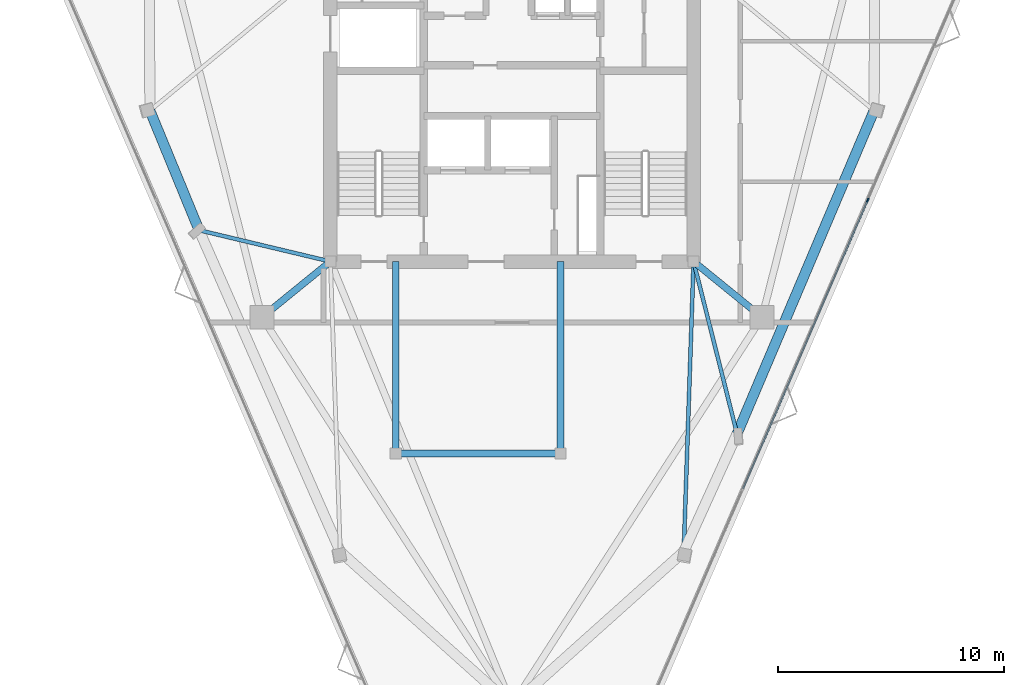
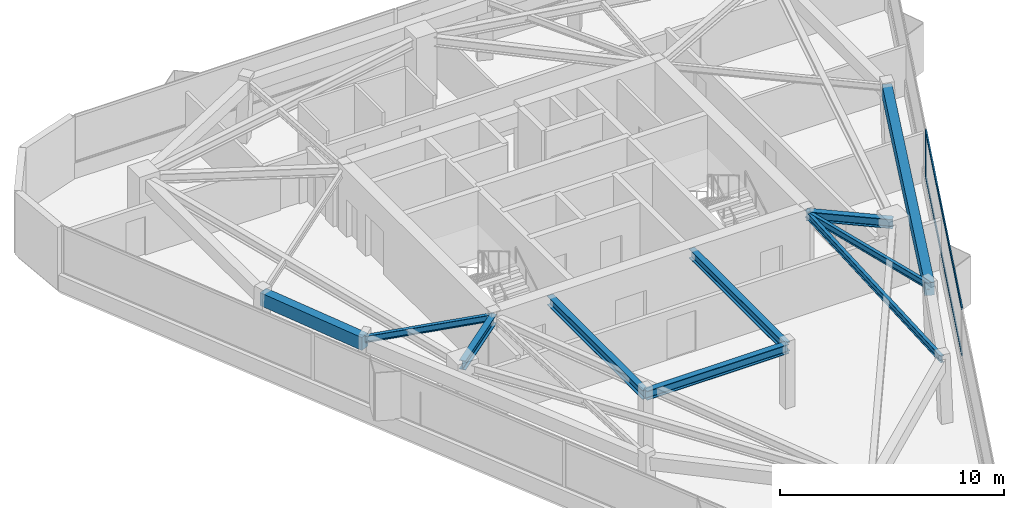
# One storey, part 3 of 10: 10 beams, 3 members, 1 element without a shape of its own.
"""IFC4 building model written with IfcOpenShell, lengths in metres."""

from ifc_helpers import new_model, si_unit, direction, frame, origin, origin_2d, place, context, subcontext, project, spatial, rectangle, i_section, extrude, material, layer, layer_set, material_profile, profile_set, type_object, element, aggregate, save


model = new_model("IFC4")

# Units and contexts
model_context = context("Model", 3, precision=1e-05, world=origin(), true_north=direction((0.0, 1.0)))
body_context = subcontext(model_context, "Body", "Model", "MODEL_VIEW")
ifc_project = project(units=[si_unit("LENGTHUNIT", "METRE"), si_unit("AREAUNIT", "SQUARE_METRE"), si_unit("VOLUMEUNIT", "CUBIC_METRE"), si_unit("PLANEANGLEUNIT", "RADIAN"), si_unit("MASSUNIT", "GRAM", prefix="KILO")], contexts=[model_context])

# Site, building, storey
site_placement = place(None, origin())
site = spatial("IfcSite", under=ifc_project, at=site_placement, CompositionType="ELEMENT")
building_placement = place(site_placement, origin())
building = spatial("IfcBuilding", under=site, at=building_placement, Name="Talyreon Biosciences Tower", CompositionType="ELEMENT")
storey_placement = place(building_placement, frame((0.0, 0.0, 287.449951171875)))
storey = spatial("IfcBuildingStorey", under=building, at=storey_placement, Name="L76", CompositionType="ELEMENT", Elevation=287.449951171875)

# Curtain wall, members
ifc_material_1 = material(Name="Thermally broken aluminium and low-E glazing", Category="aluminium")
ifc_layer = layer(ifc_material_1, 0.175048828125)
ifc_layer_set = layer_set([ifc_layer], Name="Thermally broken aluminium and low-E glazing")
curtain_wall_type = type_object("IfcCurtainWallType", Name="CurtainWall_Zone5CompLab", PredefinedType="NOTDEFINED", material=ifc_layer_set)
curtain_wall_placement = place(storey_placement, origin())
curtain_wall = element("IfcCurtainWall", 1, at=curtain_wall_placement, inside=storey, type_object=curtain_wall_type, Name="L76 Unitised Curtain Wall FCW-L76-08", PredefinedType="NOTDEFINED")
ifc_material_2 = material(Name="Anodised thermally broken aluminium", Category="aluminium")
ifc_material_profile_1 = material_profile(ifc_material_2, rectangle(XDim=0.06494140625, YDim=0.179931640625, at=origin_2d()), Name="ALUM MULLION 65x180")
ifc_profile_set_1 = profile_set([ifc_material_profile_1], Name="Anodised thermally broken aluminium")
member_type_1 = type_object("IfcMemberType", Name="CWMullion_65x180", PredefinedType="MULLION", material=ifc_profile_set_1)
member_1_placement = place(storey_placement, frame((81.772216796875, 64.070556640625, 0.81005859375), z_axis=(0.0, 0.0, 1.0), x_axis=(0.918022435016, -0.396528446404, 0.0)))
member_1 = element("IfcMember", 2, at=member_1_placement, type_object=member_type_1, Name="CW6 mullion 2", PredefinedType="MULLION", context=body_context, shape_type="SweptSolid", body=[
    extrude(rectangle(XDim=0.06494140625, YDim=0.179931640625, at=origin_2d()), origin(), (0.0, 0.0, 1.0), 2.590087890625),
])
ifc_material_profile_2 = material_profile(ifc_material_2, rectangle(XDim=0.06494140625, YDim=0.139892578125, at=origin_2d()), Name="ALUM TRANSOM 65x140")
ifc_profile_set_2 = profile_set([ifc_material_profile_2], Name="Anodised thermally broken aluminium")
member_type_2 = type_object("IfcMemberType", Name="CWTransom_65x140", PredefinedType="USERDEFINED", material=ifc_profile_set_2)
member_2_placement = place(storey_placement, frame((81.75927734375, 64.040771484375, 0.842529296875), z_axis=(-0.396534284653, -0.918019913234, 0.0), x_axis=(0.918019913234, -0.396534284653, 0.0)))
member_2 = element("IfcMember", 3, at=member_2_placement, type_object=member_type_2, Name="CW6 transom 2.1", ObjectType="TRANSOM", PredefinedType="USERDEFINED", context=body_context, shape_type="SweptSolid", body=[
    extrude(rectangle(XDim=0.06494140625, YDim=0.139892578125, at=origin_2d()), origin(), (0.0, 0.0, 1.0), 13.89599609375),
])
member_3_placement = place(storey_placement, frame((81.75927734375, 64.040771484375, 3.367431640625), z_axis=(-0.396534284653, -0.918019913234, 0.0), x_axis=(0.918019913234, -0.396534284653, 0.0)))
member_3 = element("IfcMember", 4, at=member_3_placement, type_object=member_type_2, Name="CW6 transom 2.2", ObjectType="TRANSOM", PredefinedType="USERDEFINED", context=body_context, shape_type="SweptSolid", body=[
    extrude(rectangle(XDim=0.06494140625, YDim=0.139892578125, at=origin_2d()), origin(), (0.0, 0.0, 1.0), 13.89599609375),
])
aggregate(curtain_wall, [member_1, member_2, member_3])

# Beams
ifc_material_3 = material(Name="Precast concrete C45/55", Category="concrete")
ifc_material_profile_3 = material_profile(ifc_material_3, rectangle(XDim=0.449951171875, YDim=0.699951171875, at=origin_2d()), Name="RCB 450x700")
ifc_profile_set_3 = profile_set([ifc_material_profile_3], Name="Precast concrete C45/55")
beam_type_1 = type_object("IfcBeamType", Name="ExpressedSpandrel_450x700", PredefinedType="SPANDREL", material=ifc_profile_set_3)
beam_1_placement = place(storey_placement, frame((75.97802734375, 53.712890625, 3.050048828125), z_axis=(0.390370582768, 0.920657812713, 0.0), x_axis=(-0.920657812713, 0.390370582768, 0.0)))
element("IfcBeam", 5, at=beam_1_placement, inside=storey, type_object=beam_type_1, Name="L76 Expressed Horizontal Concrete Spandrel 03", PredefinedType="SPANDREL", context=body_context, shape_type="SweptSolid", body=[
    extrude(rectangle(XDim=0.449951171875, YDim=0.699951171875, at=origin_2d()), origin(), (0.0, 0.0, 1.0), 15.564453125),
])
beam_2_placement = place(storey_placement, frame((49.946044921875, 68.04248046875, 3.050048828125), z_axis=(0.380240160309, -0.924887788052, 0.0), x_axis=(0.924887788052, 0.380240160309, 0.0)))
element("IfcBeam", 6, at=beam_2_placement, inside=storey, type_object=beam_type_1, Name="L76 Expressed Horizontal Concrete Spandrel 10", PredefinedType="SPANDREL", context=body_context, shape_type="SweptSolid", body=[
    extrude(rectangle(XDim=0.449951171875, YDim=0.699951171875, at=origin_2d()), origin(), (0.0, 0.0, 1.0), 5.73486328125),
])
ifc_material_4 = material(Name="Steel SM355", Category="steel")
ifc_material_profile_4 = material_profile(ifc_material_4, i_section(OverallWidth=0.300048828125, OverallDepth=0.5, WebThickness=0.014404296875, FlangeThickness=0.028076171875, FilletRadius=0.027099609375, at=origin_2d()), Name="HE500B")
ifc_profile_set_4 = profile_set([ifc_material_profile_4], Name="Steel SM355")
beam_type_2 = type_object("IfcBeamType", Name="SteelBeam_HE500B", PredefinedType="BEAM", material=ifc_profile_set_4)
for number, where, z_axis, x_axis, name in (
    (7, (74.050048828125, 61.35009765625, 3.150146484375), (0.775755154013, -0.631034025249, 0.0), (0.631034025249, 0.775755154013, 0.0), "L76 Radial Primary Girder 2"),
    (8, (57.949951171875, 61.35009765625, 3.150146484375), (-0.775755154013, -0.631034025249, 0.0), (0.631034025249, -0.775755154013, 0.0), "L76 Radial Primary Girder 6"),
):
    element("IfcBeam", number, at=place(storey_placement, frame(where, z_axis=z_axis, x_axis=x_axis)), inside=storey, type_object=beam_type_2, Name=name, PredefinedType="BEAM", context=body_context, shape_type="SweptSolid", body=[
        extrude(i_section(OverallWidth=0.300048828125, OverallDepth=0.5, WebThickness=0.014404296875, FlangeThickness=0.028076171875, FilletRadius=0.027099609375, at=origin_2d()), origin(), (0.0, 0.0, 1.0), 3.913818359375),
    ])
beam_3_placement = place(storey_placement, frame((60.85009765625, 52.840087890625, 3.150146484375), z_axis=(1.0, 0.0, 0.0), x_axis=(0.0, 1.0, 0.0)))
element("IfcBeam", 9, at=beam_3_placement, inside=storey, type_object=beam_type_2, Name="L76 Crown Shaft Spine Girder S", PredefinedType="BEAM", context=body_context, shape_type="SweptSolid", body=[
    extrude(i_section(OverallWidth=0.300048828125, OverallDepth=0.5, WebThickness=0.014404296875, FlangeThickness=0.028076171875, FilletRadius=0.027099609375, at=origin_2d()), origin(), (0.0, 0.0, 1.0), 7.2998046875),
])
for number, where, z_axis, x_axis, name in (
    (10, (60.85009765625, 52.840087890625, 3.150146484375), (0.0, 1.0, 0.0), (-1.0, 0.0, 0.0), "L76 Crown Shaft Tie Girder W"),
    (11, (68.14990234375, 52.840087890625, 3.150146484375), (0.0, 1.0, 0.0), (-1.0, 0.0, 0.0), "L76 Crown Shaft Tie Girder E"),
):
    element("IfcBeam", number, at=place(storey_placement, frame(where, z_axis=z_axis, x_axis=x_axis)), inside=storey, type_object=beam_type_2, Name=name, PredefinedType="BEAM", context=body_context, shape_type="SweptSolid", body=[
        extrude(i_section(OverallWidth=0.300048828125, OverallDepth=0.5, WebThickness=0.014404296875, FlangeThickness=0.028076171875, FilletRadius=0.027099609375, at=origin_2d()), origin(), (0.0, 0.0, 1.0), 8.510009765625),
    ])
ifc_material_profile_5 = material_profile(ifc_material_4, i_section(OverallWidth=0.169921875, OverallDepth=0.360107421875, WebThickness=0.008056640625, FlangeThickness=0.0126953125, FilletRadius=0.01806640625, at=origin_2d()), Name="IPE360")
ifc_profile_set_5 = profile_set([ifc_material_profile_5], Name="Steel SM355")
beam_type_3 = type_object("IfcBeamType", Name="SteelJoist_IPE360", PredefinedType="JOIST", material=ifc_profile_set_5)
beam_4_placement = place(storey_placement, frame((74.050048828125, 61.35009765625, 3.219970703125), z_axis=(-0.033900363754, -0.999425217481, 0.0), x_axis=(0.999425217481, -0.033900363754, 0.0)))
element("IfcBeam", 12, at=beam_4_placement, inside=storey, type_object=beam_type_3, Name="L76 Radial Composite Floor Joist PC-SE1", PredefinedType="JOIST", context=body_context, shape_type="SweptSolid", body=[
    extrude(i_section(OverallWidth=0.169921875, OverallDepth=0.360107421875, WebThickness=0.008056640625, FlangeThickness=0.0126953125, FilletRadius=0.01806640625, at=origin_2d()), origin(), (0.0, 0.0, 1.0), 12.869384765625),
])
beam_5_placement = place(storey_placement, frame((74.050048828125, 61.35009765625, 3.219970703125), z_axis=(0.24476661515, -0.969582025467, 0.0), x_axis=(0.969582025467, 0.24476661515, 0.0)))
element("IfcBeam", 13, at=beam_5_placement, inside=storey, type_object=beam_type_3, Name="L76 Radial Composite Floor Joist PL-SE", PredefinedType="JOIST", context=body_context, shape_type="SweptSolid", body=[
    extrude(i_section(OverallWidth=0.169921875, OverallDepth=0.360107421875, WebThickness=0.008056640625, FlangeThickness=0.0126953125, FilletRadius=0.01806640625, at=origin_2d()), origin(), (0.0, 0.0, 1.0), 7.876708984375),
])
beam_6_placement = place(storey_placement, frame((57.949951171875, 61.35009765625, 3.219970703125), z_axis=(-0.972742291056, 0.231888842317, 0.0), x_axis=(-0.231888842317, -0.972742291056, 0.0)))
element("IfcBeam", 14, at=beam_6_placement, inside=storey, type_object=beam_type_3, Name="L76 Radial Composite Floor Joist PL-SW", PredefinedType="JOIST", context=body_context, shape_type="SweptSolid", body=[
    extrude(i_section(OverallWidth=0.169921875, OverallDepth=0.360107421875, WebThickness=0.008056640625, FlangeThickness=0.0126953125, FilletRadius=0.01806640625, at=origin_2d()), origin(), (0.0, 0.0, 1.0), 5.986328125),
])

save(model, "model.ifc")
